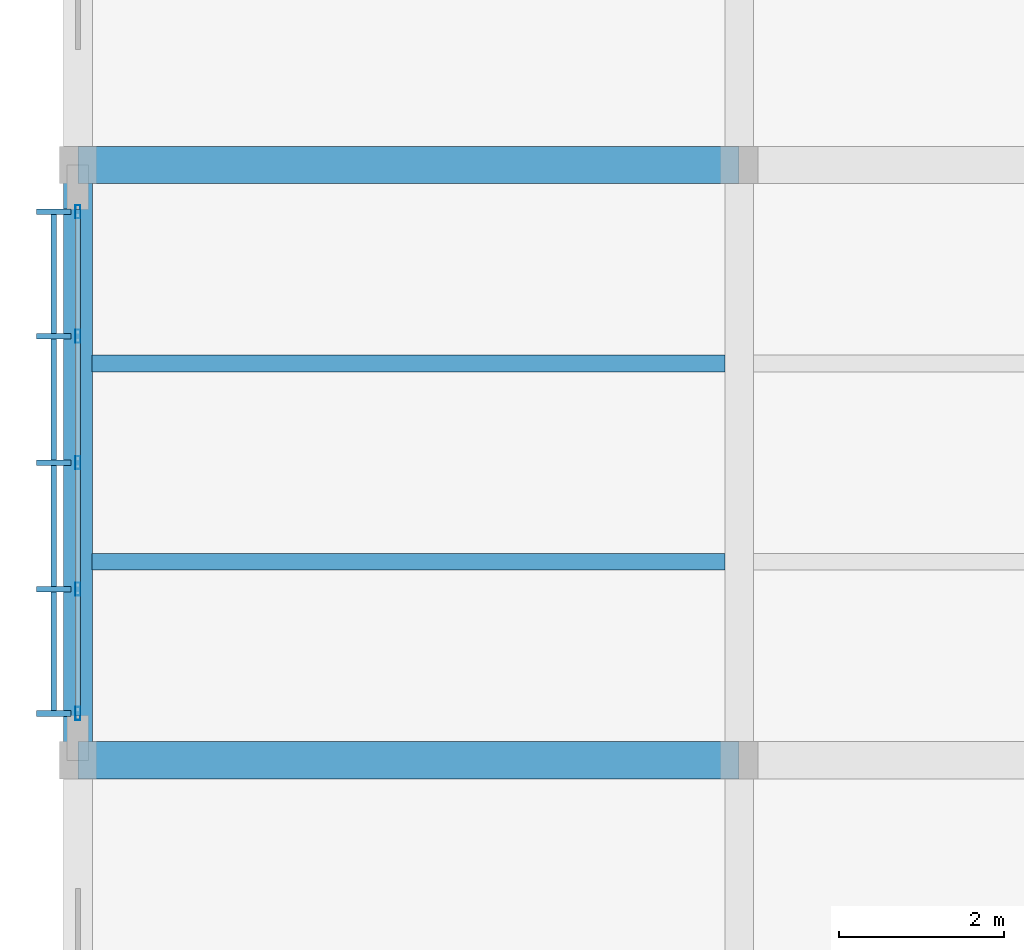
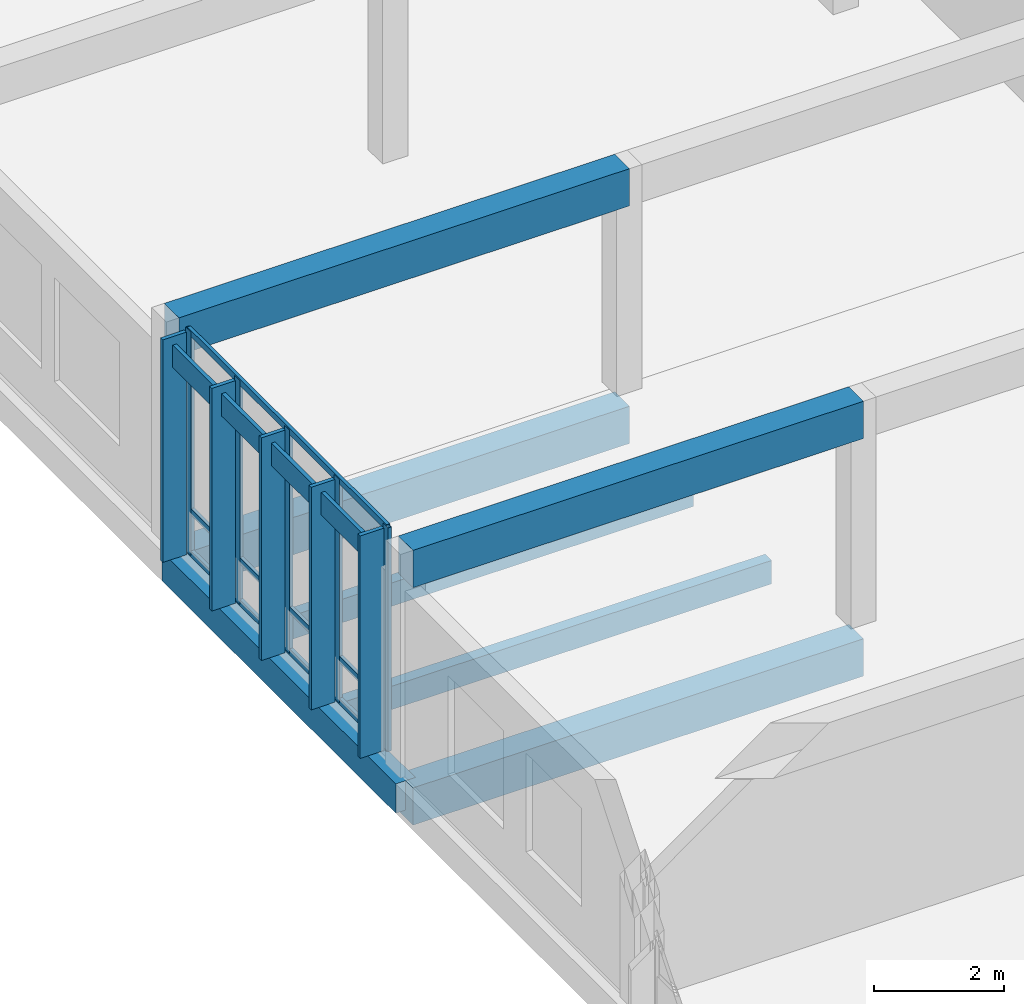
# One storey, part 23 of 107: 14 members, 7 beams, 1 element without a shape of its own.
"""IFC4 building model written with IfcOpenShell, lengths in metres."""

from ifc_helpers import new_model, si_unit, direction, frame, origin, origin_2d, place, context, subcontext, project, spatial, rectangle, hollow_rectangle, extrude, material, material_profile, profile_set, type_object, element, aggregate, save


model = new_model("IFC4")

# Units and contexts
model_context = context("Model", 3, precision=1e-05, world=origin(), true_north=direction((0.0, 1.0)))
body_context = subcontext(model_context, "Body", "Model", "MODEL_VIEW")
ifc_project = project(units=[si_unit("LENGTHUNIT", "METRE"), si_unit("AREAUNIT", "SQUARE_METRE"), si_unit("VOLUMEUNIT", "CUBIC_METRE"), si_unit("PLANEANGLEUNIT", "RADIAN"), si_unit("MASSUNIT", "GRAM", prefix="KILO")], contexts=[model_context])

# Site, building, storey
site_placement = place(None, origin())
site = spatial("IfcSite", under=ifc_project, at=site_placement, CompositionType="ELEMENT")
building_placement = place(site_placement, origin())
building = spatial("IfcBuilding", under=site, at=building_placement, Name="Chiffa Square Polytechnic", CompositionType="ELEMENT")
storey_placement = place(building_placement, frame((0.0, 0.0, 13.800048828125)))
storey = spatial("IfcBuildingStorey", under=building, at=storey_placement, Name="L03", CompositionType="ELEMENT", Elevation=13.800048828125)

# Beams
ifc_material_1 = material(Name="Concrete C35/45", Category="concrete")
ifc_material_profile_1 = material_profile(ifc_material_1, rectangle(XDim=0.35009765625, YDim=0.550048828125, at=origin_2d()), Name="RC 350x550")
ifc_profile_set_1 = profile_set([ifc_material_profile_1], Name="Concrete C35/45")
beam_type_1 = type_object("IfcBeamType", Name="BM-RC-350X550", PredefinedType="BEAM", material=ifc_profile_set_1)
beam_placement = place(storey_placement, frame((0.0, 72.60009765625, -0.53515625), z_axis=(0.0, 1.0, 0.0), x_axis=(-1.0, 0.0, 0.0)))
element("IfcBeam", 1, at=beam_placement, inside=storey, type_object=beam_type_1, Name="Primary floor girder BM-V6-L03-Y-0000-0726", PredefinedType="BEAM", context=body_context, shape_type="SweptSolid", body=[
    extrude(rectangle(XDim=0.35009765625, YDim=0.550048828125, at=origin_2d()), origin(), (0.0, 0.0, 1.0), 7.199951171875),
])
ifc_material_profile_2 = material_profile(ifc_material_1, rectangle(XDim=0.449951171875, YDim=0.699951171875, at=origin_2d()), Name="RC 450x700")
ifc_profile_set_2 = profile_set([ifc_material_profile_2], Name="Concrete C35/45")
beam_type_2 = type_object("IfcBeamType", Name="BM-RC-450X700", PredefinedType="BEAM", material=ifc_profile_set_2)
for number, where, z_axis, x_axis, name in (
    (2, (0.0, 72.60009765625, -0.610107421875), (1.0, 0.0, 0.0), (0.0, 1.0, 0.0), "Primary floor girder BM-V6-L03-X-0000-0726"),
    (3, (0.0, 79.800048828125, -0.610107421875), (1.0, 0.0, 0.0), (0.0, 1.0, 0.0), "Primary floor girder BM-V6-L03-X-0000-0798"),
    (4, (0.0, 72.60009765625, 3.849853515625), (1.0, 0.0, 0.0), (0.0, 1.0, 0.0), "Sawtooth monitor sill beam BM-V6-SAWTIE-Y5-1"),
    (5, (0.0, 79.800048828125, 3.849853515625), (1.0, 0.0, 0.0), (0.0, 1.0, 0.0), "Sawtooth monitor sill beam BM-V6-SAWTIE-Y6-1"),
):
    element("IfcBeam", number, at=place(storey_placement, frame(where, z_axis=z_axis, x_axis=x_axis)), inside=storey, type_object=beam_type_2, Name=name, PredefinedType="BEAM", context=body_context, shape_type="SweptSolid", body=[
        extrude(rectangle(XDim=0.449951171875, YDim=0.699951171875, at=origin_2d()), origin(), (0.0, 0.0, 1.0), 8.0),
    ])

# Curtain wall, members
ifc_material_2 = material(Name="Aluminium EN AW-6060 T66 and glulam shading", Category="wood")
curtain_wall_type = type_object("IfcCurtainWallType", Name="CW-VERT-450X380", PredefinedType="USERDEFINED", material=ifc_material_2)
curtain_wall_placement = place(storey_placement, origin())
curtain_wall = element("IfcCurtainWall", 6, at=curtain_wall_placement, inside=storey, type_object=curtain_wall_type, Name="Curtain wall CW-V6-L03-274", ObjectType="CURTAIN WALL", PredefinedType="USERDEFINED")
ifc_material_3 = material(Name="Aluminium EN AW-6060 T66", Category="aluminium")
ifc_material_profile_3 = material_profile(ifc_material_3, hollow_rectangle(XDim=0.06005859375, YDim=0.159912109375, WallThickness=0.00390625, at=origin_2d()), Name="ALU 60x160x4")
ifc_profile_set_3 = profile_set([ifc_material_profile_3], Name="Aluminium EN AW-6060 T66")
member_type_1 = type_object("IfcMemberType", Name="CWM-ALU-65X150", PredefinedType="MULLION", material=ifc_profile_set_3)
member_1_placement = place(storey_placement, frame((0.0, 79.235107421875, 0.0), z_axis=(0.0, 0.0, 1.0), x_axis=(1.0, 0.0, 0.0)))
member_1 = element("IfcMember", 7, at=member_1_placement, type_object=member_type_1, Name="Curtain wall mullion CW-V6-L03-274-M00", PredefinedType="MULLION", context=body_context, shape_type="SweptSolid", body=[
    extrude(hollow_rectangle(XDim=0.06005859375, YDim=0.159912109375, WallThickness=0.00390625, at=origin_2d()), origin(), (0.0, 0.0, 1.0), 4.199951171875),
])
member_2_placement = place(storey_placement, frame((0.0, 77.72998046875, 0.0), z_axis=(0.0, 0.0, 1.0), x_axis=(1.0, 0.0, 0.0)))
member_2 = element("IfcMember", 8, at=member_2_placement, type_object=member_type_1, Name="Curtain wall mullion CW-V6-L03-274-M01", PredefinedType="MULLION", context=body_context, shape_type="SweptSolid", body=[
    extrude(hollow_rectangle(XDim=0.06005859375, YDim=0.159912109375, WallThickness=0.00390625, at=origin_2d()), origin(), (0.0, 0.0, 1.0), 4.199951171875),
])
member_3_placement = place(storey_placement, frame((0.0, 76.199951171875, 0.0), z_axis=(0.0, 0.0, 1.0), x_axis=(1.0, 0.0, 0.0)))
member_3 = element("IfcMember", 9, at=member_3_placement, type_object=member_type_1, Name="Curtain wall mullion CW-V6-L03-274-M02", PredefinedType="MULLION", context=body_context, shape_type="SweptSolid", body=[
    extrude(hollow_rectangle(XDim=0.06005859375, YDim=0.159912109375, WallThickness=0.00390625, at=origin_2d()), origin(), (0.0, 0.0, 1.0), 4.199951171875),
])
member_4_placement = place(storey_placement, frame((0.0, 74.669921875, 0.0), z_axis=(0.0, 0.0, 1.0), x_axis=(1.0, 0.0, 0.0)))
member_4 = element("IfcMember", 10, at=member_4_placement, type_object=member_type_1, Name="Curtain wall mullion CW-V6-L03-274-M03", PredefinedType="MULLION", context=body_context, shape_type="SweptSolid", body=[
    extrude(hollow_rectangle(XDim=0.06005859375, YDim=0.159912109375, WallThickness=0.00390625, at=origin_2d()), origin(), (0.0, 0.0, 1.0), 4.199951171875),
])
member_5_placement = place(storey_placement, frame((0.0, 73.1650390625, 0.0), z_axis=(0.0, 0.0, 1.0), x_axis=(1.0, 0.0, 0.0)))
member_5 = element("IfcMember", 11, at=member_5_placement, type_object=member_type_1, Name="Curtain wall mullion CW-V6-L03-274-M04", PredefinedType="MULLION", context=body_context, shape_type="SweptSolid", body=[
    extrude(hollow_rectangle(XDim=0.06005859375, YDim=0.159912109375, WallThickness=0.00390625, at=origin_2d()), origin(), (0.0, 0.0, 1.0), 4.199951171875),
])
ifc_material_4 = material(Name="Glulam GL28h", Category="wood")
ifc_material_profile_4 = material_profile(ifc_material_4, rectangle(XDim=0.070068359375, YDim=0.419921875, at=origin_2d()), Name="GL28h 70x420")
ifc_profile_set_4 = profile_set([ifc_material_profile_4], Name="Glulam GL28h")
member_type_2 = type_object("IfcMemberType", Name="CWM-GL-70X420", PredefinedType="MULLION", material=ifc_profile_set_4)
member_6_placement = place(storey_placement, frame((-0.2919921875, 79.235107421875, 0.010009765625), z_axis=(0.0, 0.0, 1.0), x_axis=(0.0, -1.0, 0.0)))
member_6 = element("IfcMember", 12, at=member_6_placement, type_object=member_type_2, Name="Exterior glulam solar fin CW-V6-L03-274-FN00", PredefinedType="MULLION", context=body_context, shape_type="SweptSolid", body=[
    extrude(rectangle(XDim=0.070068359375, YDim=0.419921875, at=origin_2d()), origin(), (0.0, 0.0, 1.0), 4.179931640625),
])
member_7_placement = place(storey_placement, frame((-0.2919921875, 77.72998046875, 0.010009765625), z_axis=(0.0, 0.0, 1.0), x_axis=(0.0, -1.0, 0.0)))
member_7 = element("IfcMember", 13, at=member_7_placement, type_object=member_type_2, Name="Exterior glulam solar fin CW-V6-L03-274-FN01", PredefinedType="MULLION", context=body_context, shape_type="SweptSolid", body=[
    extrude(rectangle(XDim=0.070068359375, YDim=0.419921875, at=origin_2d()), origin(), (0.0, 0.0, 1.0), 4.179931640625),
])
member_8_placement = place(storey_placement, frame((-0.2919921875, 76.199951171875, 0.010009765625), z_axis=(0.0, 0.0, 1.0), x_axis=(0.0, -1.0, 0.0)))
member_8 = element("IfcMember", 14, at=member_8_placement, type_object=member_type_2, Name="Exterior glulam solar fin CW-V6-L03-274-FN02", PredefinedType="MULLION", context=body_context, shape_type="SweptSolid", body=[
    extrude(rectangle(XDim=0.070068359375, YDim=0.419921875, at=origin_2d()), origin(), (0.0, 0.0, 1.0), 4.179931640625),
])
member_9_placement = place(storey_placement, frame((-0.2919921875, 74.669921875, 0.010009765625), z_axis=(0.0, 0.0, 1.0), x_axis=(0.0, -1.0, 0.0)))
member_9 = element("IfcMember", 15, at=member_9_placement, type_object=member_type_2, Name="Exterior glulam solar fin CW-V6-L03-274-FN03", PredefinedType="MULLION", context=body_context, shape_type="SweptSolid", body=[
    extrude(rectangle(XDim=0.070068359375, YDim=0.419921875, at=origin_2d()), origin(), (0.0, 0.0, 1.0), 4.179931640625),
])
member_10_placement = place(storey_placement, frame((-0.2919921875, 73.1650390625, 0.010009765625), z_axis=(0.0, 0.0, 1.0), x_axis=(0.0, -1.0, 0.0)))
member_10 = element("IfcMember", 16, at=member_10_placement, type_object=member_type_2, Name="Exterior glulam solar fin CW-V6-L03-274-FN04", PredefinedType="MULLION", context=body_context, shape_type="SweptSolid", body=[
    extrude(rectangle(XDim=0.070068359375, YDim=0.419921875, at=origin_2d()), origin(), (0.0, 0.0, 1.0), 4.179931640625),
])
ifc_material_profile_5 = material_profile(ifc_material_3, hollow_rectangle(XDim=0.06005859375, YDim=0.1201171875, WallThickness=0.00390625, at=origin_2d()), Name="ALU 60x120x4")
ifc_profile_set_5 = profile_set([ifc_material_profile_5], Name="Aluminium EN AW-6060 T66")
member_type_3 = type_object("IfcMemberType", Name="CWT-ALU-65X120", PredefinedType="USERDEFINED", material=ifc_profile_set_5)
member_11_placement = place(storey_placement, frame((0.0, 79.261962890625, 0.030029296875), z_axis=(0.0, -1.0, 0.0), x_axis=(1.0, 0.0, 0.0)))
member_11 = element("IfcMember", 17, at=member_11_placement, type_object=member_type_3, Name="Curtain wall transom CW-V6-L03-274-T01", ObjectType="TRANSOM", PredefinedType="USERDEFINED", context=body_context, shape_type="SweptSolid", body=[
    extrude(hollow_rectangle(XDim=0.06005859375, YDim=0.1201171875, WallThickness=0.00390625, at=origin_2d()), origin(), (0.0, 0.0, 1.0), 6.1240234375),
])
member_12_placement = place(storey_placement, frame((0.0, 79.261962890625, 0.820068359375), z_axis=(0.0, -1.0, 0.0), x_axis=(1.0, 0.0, 0.0)))
member_12 = element("IfcMember", 18, at=member_12_placement, type_object=member_type_3, Name="Curtain wall transom CW-V6-L03-274-T02", ObjectType="TRANSOM", PredefinedType="USERDEFINED", context=body_context, shape_type="SweptSolid", body=[
    extrude(hollow_rectangle(XDim=0.06005859375, YDim=0.1201171875, WallThickness=0.00390625, at=origin_2d()), origin(), (0.0, 0.0, 1.0), 6.1240234375),
])
member_13_placement = place(storey_placement, frame((0.0, 79.261962890625, 4.169921875), z_axis=(0.0, -1.0, 0.0), x_axis=(1.0, 0.0, 0.0)))
member_13 = element("IfcMember", 19, at=member_13_placement, type_object=member_type_3, Name="Curtain wall transom CW-V6-L03-274-T03", ObjectType="TRANSOM", PredefinedType="USERDEFINED", context=body_context, shape_type="SweptSolid", body=[
    extrude(hollow_rectangle(XDim=0.06005859375, YDim=0.1201171875, WallThickness=0.00390625, at=origin_2d()), origin(), (0.0, 0.0, 1.0), 6.1240234375),
])
ifc_material_profile_6 = material_profile(ifc_material_4, rectangle(XDim=0.070068359375, YDim=0.419921875, at=origin_2d()), Name="GL28h 70x420")
ifc_profile_set_6 = profile_set([ifc_material_profile_6], Name="Glulam GL28h")
member_type_4 = type_object("IfcMemberType", Name="CWT-GL-70X420", PredefinedType="USERDEFINED", material=ifc_profile_set_6)
member_14_placement = place(storey_placement, frame((-0.2919921875, 79.235107421875, 3.820068359375), z_axis=(0.0, -1.0, 0.0), x_axis=(1.0, 0.0, 0.0)))
member_14 = element("IfcMember", 20, at=member_14_placement, type_object=member_type_4, Name="Exterior glulam brise-soleil CW-V6-L03-274-BS01", ObjectType="TRANSOM", PredefinedType="USERDEFINED", context=body_context, shape_type="SweptSolid", body=[
    extrude(rectangle(XDim=0.070068359375, YDim=0.419921875, at=origin_2d()), origin(), (0.0, 0.0, 1.0), 6.070068359375),
])
aggregate(curtain_wall, [member_1, member_6, member_2, member_7, member_3, member_8, member_4, member_9, member_5, member_10, member_11, member_12, member_13, member_14])

# Beams
ifc_material_profile_7 = material_profile(ifc_material_4, rectangle(XDim=0.199951171875, YDim=0.43994140625, at=origin_2d()), Name="GL28h 200x440")
ifc_profile_set_7 = profile_set([ifc_material_profile_7], Name="Glulam GL28h")
beam_type_3 = type_object("IfcBeamType", Name="JST-GL-200X440", PredefinedType="JOIST", material=ifc_profile_set_7)
for number, where, z_axis, x_axis, name in (
    (21, (0.173095703125, 75.0, -0.47998046875), (1.0, 0.0, 0.0), (0.0, 1.0, 0.0), "Secondary floor joist JST-V6-L03-0000-0750"),
    (22, (0.173095703125, 77.39990234375, -0.47998046875), (1.0, 0.0, 0.0), (0.0, 1.0, 0.0), "Secondary floor joist JST-V6-L03-0000-0774"),
):
    element("IfcBeam", number, at=place(storey_placement, frame(where, z_axis=z_axis, x_axis=x_axis)), inside=storey, type_object=beam_type_3, Name=name, PredefinedType="JOIST", context=body_context, shape_type="SweptSolid", body=[
        extrude(rectangle(XDim=0.199951171875, YDim=0.43994140625, at=origin_2d()), origin(), (0.0, 0.0, 1.0), 7.65380859375),
    ])

save(model, "model.ifc")
